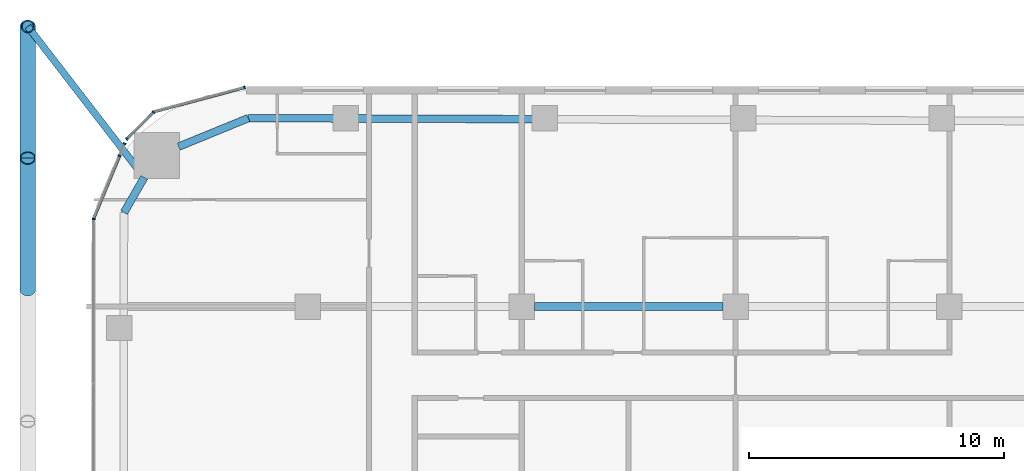
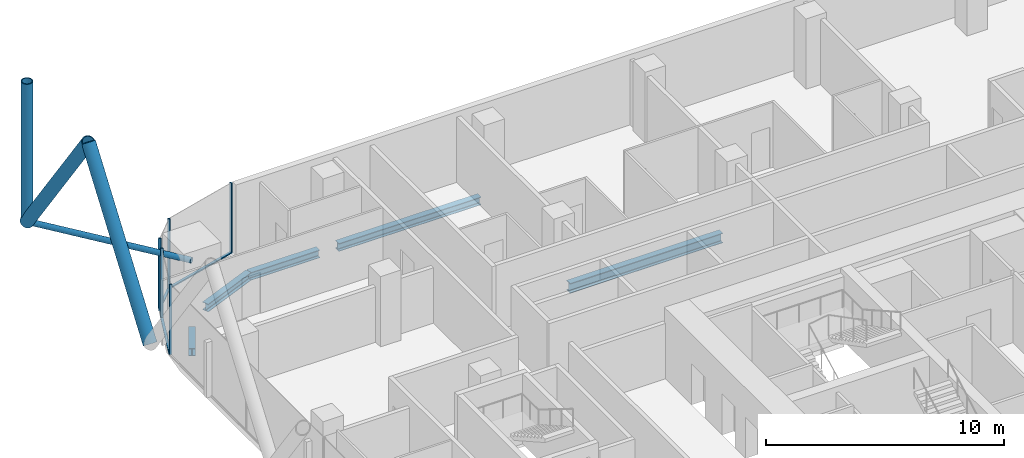
# One storey, part 10 of 34: 13 members, 5 beams, 5 elements without a shape of their own.
"""IFC4 building model written with IfcOpenShell, lengths in metres."""

from ifc_helpers import new_model, si_unit, direction, frame, origin, origin_2d, place, context, subcontext, project, spatial, rectangle, hollow_circle, i_section, extrude, material, layer, layer_set, material_profile, profile_set, type_object, element, aggregate, save


model = new_model("IFC4")

# Units and contexts
model_context = context("Model", 3, precision=1e-05, world=origin(), true_north=direction((0.0, 1.0)))
body_context = subcontext(model_context, "Body", "Model", "MODEL_VIEW")
ifc_project = project(units=[si_unit("LENGTHUNIT", "METRE"), si_unit("AREAUNIT", "SQUARE_METRE"), si_unit("VOLUMEUNIT", "CUBIC_METRE"), si_unit("PLANEANGLEUNIT", "RADIAN"), si_unit("MASSUNIT", "GRAM", prefix="KILO")], contexts=[model_context])

# Site, building, storey
site_placement = place(None, origin())
site = spatial("IfcSite", under=ifc_project, at=site_placement, CompositionType="ELEMENT")
building_placement = place(site_placement, origin())
building = spatial("IfcBuilding", under=site, at=building_placement, Name="Marenta Gate Hotel Tower", CompositionType="ELEMENT")
storey_placement = place(building_placement, frame((0.0, 0.0, 47.300048828125)))
storey = spatial("IfcBuildingStorey", under=building, at=storey_placement, Name="L09", CompositionType="ELEMENT", Elevation=47.300048828125)

# Members
ifc_material_1 = material(Name="Steel S355J2W", Category="steel")
ifc_material_profile_1 = material_profile(ifc_material_1, hollow_circle(Radius=0.25390625, WallThickness=0.0400390625, at=origin_2d()), Name="CHS 508x40")
ifc_profile_set_1 = profile_set([ifc_material_profile_1], Name="Steel S355J2W")
member_type_1 = type_object("IfcMemberType", Name="Diagrid corner post Z1 CHS 508x40", PredefinedType="POST", material=ifc_profile_set_1)
member_1_placement = place(storey_placement, frame((-32.0, 36.199951171875, 3.139892578125), z_axis=(0.0, 0.0, 1.0), x_axis=(1.0, 0.0, 0.0)))
element("IfcMember", 1, at=member_1_placement, inside=storey, type_object=member_type_1, Name="L09-DR-6", PredefinedType="POST", context=body_context, shape_type="SweptSolid", body=[
    extrude(hollow_circle(Radius=0.25390625, WallThickness=0.0400390625, at=origin_2d()), origin(), (0.0, 0.0, 1.0), 7.199951171875),
])
ifc_material_2 = material(Name="Steel S355J2W", Category="steel")
ifc_material_profile_2 = material_profile(ifc_material_2, hollow_circle(Radius=0.304931640625, WallThickness=0.0400390625, at=origin_2d()), Name="CHS 610x40")
ifc_profile_set_2 = profile_set([ifc_material_profile_2], Name="Steel S355J2W")
member_type_2 = type_object("IfcMemberType", Name="Diagrid diagonal Z1 CHS 610x40", PredefinedType="BRACE", material=ifc_profile_set_2)
for number, where, z_axis, x_axis, name in (
    (2, (-32.0, 25.860107421875, 3.139892578125), (0.0, 0.583260841117, 0.812284919975), (-1.0, 0.0, 0.0), "L09-DG-33"),
    (3, (-32.0, 36.199951171875, 3.139892578125), (0.0, -0.583260841117, 0.812284919975), (1.0, 0.0, 0.0), "L09-DG-34"),
):
    element("IfcMember", number, at=place(storey_placement, frame(where, z_axis=z_axis, x_axis=x_axis)), inside=storey, type_object=member_type_2, Name=name, PredefinedType="BRACE", context=body_context, shape_type="SweptSolid", body=[
        extrude(hollow_circle(Radius=0.304931640625, WallThickness=0.0400390625, at=origin_2d()), origin(), (0.0, 0.0, 1.0), 8.86376953125),
    ])

# Beams
ifc_material_3 = material(Name="Steel S355", Category="steel")
ifc_material_profile_3 = material_profile(ifc_material_3, i_section(OverallWidth=0.300048828125, OverallDepth=0.39990234375, WebThickness=0.013427734375, FlangeThickness=0.02392578125, FilletRadius=0.027099609375, at=origin_2d()), Name="HEB 400")
ifc_profile_set_3 = profile_set([ifc_material_profile_3], Name="Steel S355")
beam_type_1 = type_object("IfcBeamType", Name="Edge beam HEB 400", PredefinedType="SPANDREL", material=ifc_profile_set_3)
beam_1_placement = place(storey_placement, frame((-28.221435546875, 28.891845703125, -0.4599609375), z_axis=(0.500098681536, 0.865968422476, 0.0), x_axis=(-0.865968422476, 0.500098681536, 0.0)))
element("IfcBeam", 4, at=beam_1_placement, inside=storey, type_object=beam_type_1, Name="L09-EB-11", PredefinedType="SPANDREL", context=body_context, shape_type="SweptSolid", body=[
    extrude(i_section(OverallWidth=0.300048828125, OverallDepth=0.39990234375, WebThickness=0.013427734375, FlangeThickness=0.02392578125, FilletRadius=0.027099609375, at=origin_2d()), origin(), (0.0, 0.0, 1.0), 1.591552734375),
])
beam_2_placement = place(storey_placement, frame((-26.072509765625, 31.47998046875, -0.4599609375), z_axis=(0.925545641603, 0.378636059177, 0.0), x_axis=(-0.378636059177, 0.925545641603, 0.0)))
element("IfcBeam", 5, at=beam_2_placement, inside=storey, type_object=beam_type_1, Name="L09-EB-12", PredefinedType="SPANDREL", context=body_context, shape_type="SweptSolid", body=[
    extrude(i_section(OverallWidth=0.300048828125, OverallDepth=0.39990234375, WebThickness=0.013427734375, FlangeThickness=0.02392578125, FilletRadius=0.027099609375, at=origin_2d()), origin(), (0.0, 0.0, 1.0), 2.958251953125),
])
beam_3_placement = place(storey_placement, frame((-23.33447265625, 32.60009765625, -0.4599609375), z_axis=(0.999992894549, -0.00376972818, 0.0), x_axis=(0.00376972818, 0.999992894549, 0.0)))
element("IfcBeam", 6, at=beam_3_placement, inside=storey, type_object=beam_type_1, Name="L09-EB-13", PredefinedType="SPANDREL", context=body_context, shape_type="SweptSolid", body=[
    extrude(i_section(OverallWidth=0.300048828125, OverallDepth=0.39990234375, WebThickness=0.013427734375, FlangeThickness=0.02392578125, FilletRadius=0.027099609375, at=origin_2d()), origin(), (0.0, 0.0, 1.0), 3.36767578125),
])
beam_4_placement = place(storey_placement, frame((-19.046875, 32.583984375, -0.4599609375), z_axis=(0.999993064268, -0.003724435008, 0.0), x_axis=(0.003724435008, 0.999993064268, 0.0)))
element("IfcBeam", 7, at=beam_4_placement, inside=storey, type_object=beam_type_1, Name="L09-EB-14", PredefinedType="SPANDREL", context=body_context, shape_type="SweptSolid", body=[
    extrude(i_section(OverallWidth=0.300048828125, OverallDepth=0.39990234375, WebThickness=0.013427734375, FlangeThickness=0.02392578125, FilletRadius=0.027099609375, at=origin_2d()), origin(), (0.0, 0.0, 1.0), 6.8828125),
])

# Member
ifc_material_4 = material(Name="Steel S355J2W", Category="steel")
ifc_material_profile_4 = material_profile(ifc_material_4, hollow_circle(Radius=0.136474609375, WallThickness=0.012451171875, at=origin_2d()), Name="CHS 273x12.5")
ifc_profile_set_4 = profile_set([ifc_material_profile_4], Name="Steel S355J2W")
member_type_3 = type_object("IfcMemberType", Name="Floor tie CHS 273x12.5", PredefinedType="STRUT", material=ifc_profile_set_4)
member_2_placement = place(storey_placement, frame((-32.0, 36.199951171875, 3.139892578125), z_axis=(0.610809299032, -0.791777746729, 0.0), x_axis=(0.791777746729, 0.610809299032, 0.0)))
element("IfcMember", 8, at=member_2_placement, inside=storey, type_object=member_type_3, Name="L09-DR-12", PredefinedType="STRUT", context=body_context, shape_type="SweptSolid", body=[
    extrude(hollow_circle(Radius=0.136474609375, WallThickness=0.012451171875, at=origin_2d()), origin(), (0.0, 0.0, 1.0), 7.48193359375),
])

# Beam
ifc_material_5 = material(Name="Steel S355", Category="steel")
ifc_material_profile_5 = material_profile(ifc_material_5, i_section(OverallWidth=0.300048828125, OverallDepth=0.5, WebThickness=0.014404296875, FlangeThickness=0.028076171875, FilletRadius=0.027099609375, at=origin_2d()), Name="HEB 500")
ifc_profile_set_5 = profile_set([ifc_material_profile_5], Name="Steel S355")
beam_type_2 = type_object("IfcBeamType", Name="Girder HEB 500", PredefinedType="BEAM", material=ifc_profile_set_5)
beam_5_placement = place(storey_placement, frame((-12.10009765625, 25.199951171875, -0.510009765625), z_axis=(1.0, 0.0, 0.0), x_axis=(0.0, 1.0, 0.0)))
element("IfcBeam", 9, at=beam_5_placement, inside=storey, type_object=beam_type_2, Name="L09-GD-24", PredefinedType="BEAM", context=body_context, shape_type="SweptSolid", body=[
    extrude(i_section(OverallWidth=0.300048828125, OverallDepth=0.5, WebThickness=0.014404296875, FlangeThickness=0.028076171875, FilletRadius=0.027099609375, at=origin_2d()), origin(), (0.0, 0.0, 1.0), 7.400146484375),
])

# Curtain wall, member
ifc_material_6 = material(Name="Tinted insulated glass in bronze anodised frame", Category="glass")
ifc_layer = layer(ifc_material_6, 0.1201171875)
ifc_layer_set = layer_set([ifc_layer], Name="Tinted insulated glass in bronze anodised frame")
curtain_wall_type = type_object("IfcCurtainWallType", Name="Tower unitised curtain wall CW1", PredefinedType="NOTDEFINED", material=ifc_layer_set)
curtain_wall_1_placement = place(storey_placement, origin())
curtain_wall_1 = element("IfcCurtainWall", 10, at=curtain_wall_1_placement, inside=storey, type_object=curtain_wall_type, Name="CW1 run G00", PredefinedType="NOTDEFINED")
ifc_material_7 = material(Name="Bronze anodised aluminium", Category="aluminium")
ifc_material_profile_6 = material_profile(ifc_material_7, rectangle(XDim=0.1201171875, YDim=0.06005859375, at=origin_2d()), Name="Mullion CW1 60x120 bronze anodised aluminium")
ifc_profile_set_6 = profile_set([ifc_material_profile_6], Name="Bronze anodised aluminium")
member_type_4 = type_object("IfcMemberType", Name="Mullion CW1 60x120 bronze anodised aluminium", PredefinedType="MULLION", material=ifc_profile_set_6)
member_3_placement = place(storey_placement, frame((-23.485595703125, 33.80322265625, 0.0), z_axis=(0.0, 0.0, 1.0), x_axis=(0.258801657317, -0.965930485164, 0.0)))
member_3 = element("IfcMember", 11, at=member_3_placement, type_object=member_type_4, Name="CW1 mullion 1", PredefinedType="MULLION", context=body_context, shape_type="SweptSolid", body=[
    extrude(rectangle(XDim=0.1201171875, YDim=0.06005859375, at=origin_2d()), origin(), (0.0, 0.0, 1.0), 3.599853515625),
])

# Curtain wall, members
curtain_wall_2_placement = place(storey_placement, origin())
curtain_wall_2 = element("IfcCurtainWall", 12, at=curtain_wall_2_placement, inside=storey, type_object=curtain_wall_type, Name="CW1 run G01", PredefinedType="NOTDEFINED")
member_4_placement = place(storey_placement, frame((-27.06103515625, 32.82958984375, 0.0), z_axis=(0.0, 0.0, 1.0), x_axis=(0.707106781187, -0.707106781187, 0.0)))
member_4 = element("IfcMember", 13, at=member_4_placement, type_object=member_type_4, Name="CW1 mullion 1", PredefinedType="MULLION", context=body_context, shape_type="SweptSolid", body=[
    extrude(rectangle(XDim=0.1201171875, YDim=0.06005859375, at=origin_2d()), origin(), (0.0, 0.0, 1.0), 3.599853515625),
])
member_5_placement = place(storey_placement, frame((-28.109619140625, 31.781005859375, 0.0), z_axis=(0.0, 0.0, 1.0), x_axis=(0.707106781187, -0.707106781187, 0.0)))
member_5 = element("IfcMember", 14, at=member_5_placement, type_object=member_type_4, Name="CW1 mullion 2", PredefinedType="MULLION", context=body_context, shape_type="SweptSolid", body=[
    extrude(rectangle(XDim=0.1201171875, YDim=0.06005859375, at=origin_2d()), origin(), (0.0, 0.0, 1.0), 3.599853515625),
])

# Curtain wall, member
curtain_wall_3_placement = place(storey_placement, origin())
curtain_wall_3 = element("IfcCurtainWall", 15, at=curtain_wall_3_placement, inside=storey, type_object=curtain_wall_type, Name="CW1 run G02", PredefinedType="NOTDEFINED")
member_6_placement = place(storey_placement, frame((-28.197509765625, 31.59912109375, 0.0), z_axis=(0.0, 0.0, 1.0), x_axis=(0.923879170538, -0.382684306245, 0.0)))
member_6 = element("IfcMember", 16, at=member_6_placement, type_object=member_type_4, Name="CW1 mullion 1", PredefinedType="MULLION", context=body_context, shape_type="SweptSolid", body=[
    extrude(rectangle(XDim=0.1201171875, YDim=0.06005859375, at=origin_2d()), origin(), (0.0, 0.0, 1.0), 3.00048828125),
])
aggregate(curtain_wall_3, [member_6])

curtain_wall_4_placement = place(storey_placement, origin())
curtain_wall_4 = element("IfcCurtainWall", 17, at=curtain_wall_4_placement, inside=storey, type_object=curtain_wall_type, Name="CW1 run G03", PredefinedType="NOTDEFINED")
member_7_placement = place(storey_placement, frame((-28.3974609375, 31.116455078125, 0.0), z_axis=(0.0, 0.0, 1.0), x_axis=(0.923882327998, -0.382676683393, 0.0)))
member_7 = element("IfcMember", 18, at=member_7_placement, type_object=member_type_4, Name="CW1 mullion 1", PredefinedType="MULLION", context=body_context, shape_type="SweptSolid", body=[
    extrude(rectangle(XDim=0.1201171875, YDim=0.06005859375, at=origin_2d()), origin(), (0.0, 0.0, 1.0), 3.599853515625),
])

curtain_wall_5_placement = place(storey_placement, origin())
curtain_wall_5 = element("IfcCurtainWall", 19, at=curtain_wall_5_placement, inside=storey, type_object=curtain_wall_type, Name="CW1 run G04", PredefinedType="NOTDEFINED")
member_8_placement = place(storey_placement, frame((-29.412353515625, 28.63623046875, 0.0), z_axis=(0.0, 0.0, 1.0), x_axis=(0.99999877316, -0.00156642217, 0.0)))
member_8 = element("IfcMember", 20, at=member_8_placement, type_object=member_type_4, Name="CW1 mullion 1", PredefinedType="MULLION", context=body_context, shape_type="SweptSolid", body=[
    extrude(rectangle(XDim=0.1201171875, YDim=0.06005859375, at=origin_2d()), origin(), (0.0, 0.0, 1.0), 3.599853515625),
])
aggregate(curtain_wall_5, [member_8])

# Member
ifc_material_8 = material(Name="Bronze anodised aluminium", Category="aluminium")
ifc_material_profile_7 = material_profile(ifc_material_8, rectangle(XDim=0.1201171875, YDim=0.06005859375, at=origin_2d()), Name="Transom CW1 60x120 bronze anodised aluminium")
ifc_profile_set_7 = profile_set([ifc_material_profile_7], Name="Bronze anodised aluminium")
member_type_5 = type_object("IfcMemberType", Name="Transom CW1 60x120 bronze anodised aluminium", PredefinedType="USERDEFINED", material=ifc_profile_set_7)
member_9_placement = place(storey_placement, frame((-23.514404296875, 33.79541015625, 0.030029296875), z_axis=(-0.965928942389, -0.258807415381, 0.0), x_axis=(0.258807415381, -0.965928942389, 0.0)))
member_9 = element("IfcMember", 21, at=member_9_placement, type_object=member_type_5, Name="CW1 transom 1.1", ObjectType="TRANSOM", PredefinedType="USERDEFINED", context=body_context, shape_type="SweptSolid", body=[
    extrude(rectangle(XDim=0.1201171875, YDim=0.06005859375, at=origin_2d()), origin(), (0.0, 0.0, 1.0), 3.649658203125),
])

aggregate(curtain_wall_1, [member_3, member_9])

member_10_placement = place(storey_placement, frame((-27.082275390625, 32.80859375, 0.030029296875), z_axis=(-0.707020993286, -0.707192558681, 0.0), x_axis=(0.707192558681, -0.707020993286, 0.0)))
member_10 = element("IfcMember", 22, at=member_10_placement, type_object=member_type_5, Name="CW1 transom 1.1", ObjectType="TRANSOM", PredefinedType="USERDEFINED", context=body_context, shape_type="SweptSolid", body=[
    extrude(rectangle(XDim=0.1201171875, YDim=0.06005859375, at=origin_2d()), origin(), (0.0, 0.0, 1.0), 1.423095703125),
])

aggregate(curtain_wall_2, [member_4, member_5, member_10])

member_11_placement = place(storey_placement, frame((-28.408935546875, 31.0888671875, 0.030029296875), z_axis=(-0.382664265596, -0.923887471414, 0.0), x_axis=(0.923887471414, -0.382664265596, 0.0)))
member_11 = element("IfcMember", 23, at=member_11_placement, type_object=member_type_5, Name="CW1 transom 1.1", ObjectType="TRANSOM", PredefinedType="USERDEFINED", context=body_context, shape_type="SweptSolid", body=[
    extrude(rectangle(XDim=0.1201171875, YDim=0.06005859375, at=origin_2d()), origin(), (0.0, 0.0, 1.0), 2.6220703125),
])

aggregate(curtain_wall_4, [member_7, member_11])

save(model, "model.ifc")
